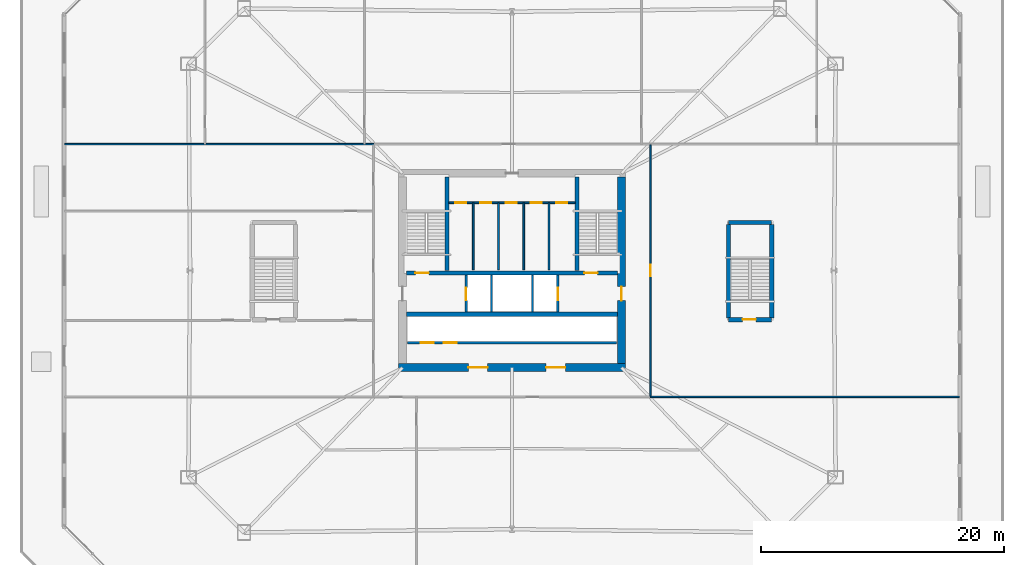
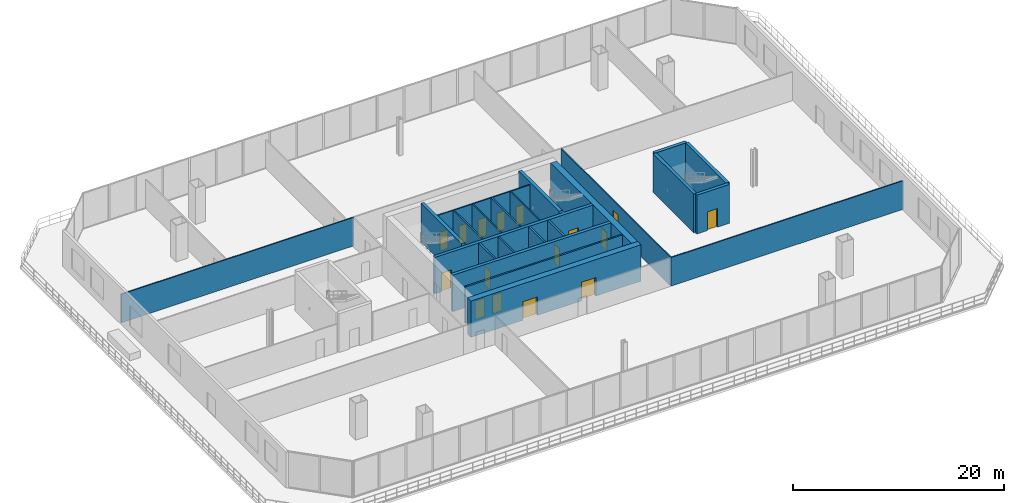
# One storey, part 26 of 31: 23 walls, 16 doors, 16 openings.
"""IFC4 building model written with IfcOpenShell, lengths in metres."""

from ifc_helpers import new_model, si_unit, direction, frame, frame_2d, origin, place, context, subcontext, project, spatial, rectangle, extrude, material, layer, layer_set, type_object, element, fill, save


model = new_model("IFC4")

# Units and contexts
model_context = context("Model", 3, precision=1e-05, world=origin(), true_north=direction((0.0, 1.0)))
body_context = subcontext(model_context, "Body", "Model", "MODEL_VIEW")
ifc_project = project(units=[si_unit("LENGTHUNIT", "METRE"), si_unit("AREAUNIT", "SQUARE_METRE"), si_unit("VOLUMEUNIT", "CUBIC_METRE"), si_unit("PLANEANGLEUNIT", "RADIAN"), si_unit("MASSUNIT", "GRAM", prefix="KILO")], contexts=[model_context])

# Site, building, storey
site_placement = place(None, origin())
site = spatial("IfcSite", under=ifc_project, at=site_placement, CompositionType="ELEMENT")
building_placement = place(site_placement, origin())
building = spatial("IfcBuilding", under=site, at=building_placement, Name="Caelvoria Tower", CompositionType="ELEMENT")
storey_placement = place(building_placement, frame((0.0, 0.0, 9.5)))
storey = spatial("IfcBuildingStorey", under=building, at=storey_placement, Name="L02", CompositionType="ELEMENT", Elevation=9.5)

# Wall, openings, doors
ifc_material_1 = material(Name="Concrete C50/60", Category="concrete")
ifc_layer_1 = layer(ifc_material_1, 0.35009765625, Name="Concrete C50/60")
ifc_layer_set_1 = layer_set([ifc_layer_1], Name="Core Internal Shear Wall 350 - Concrete C50/60")
wall_type_1 = type_object("IfcWallType", Name="Core Internal Shear Wall 350", PredefinedType="SHEAR", material=ifc_layer_set_1)
wall_1_placement = place(storey_placement, frame((37.324951171875, 31.800048828125, 0.0), z_axis=(0.0, 0.0, 1.0), x_axis=(1.0, 0.0, 0.0)))
wall_1 = element("IfcWall", 1, at=wall_1_placement, inside=storey, type_object=wall_type_1, Name="Core Shear Wall L02 M1", PredefinedType="SHEAR", context=body_context, shape_type="SweptSolid", body=[
    extrude(rectangle(XDim=17.35009765625, YDim=0.35009765625, at=frame_2d((8.675048828125, 0.0))), origin(), (0.0, 0.0, 1.0), 4.219970703125),
])
opening_1_placement = place(wall_1_placement, frame((0.72509765625, 0.0, 0.0)))
opening_1 = element("IfcOpeningElement", 2, at=opening_1_placement, cuts=wall_1, Name="Opening ID-01", PredefinedType="OPENING", context=body_context, shape_type="SweptSolid", body=[
    extrude(rectangle(XDim=1.10009765625, YDim=2.14990234375, at=frame_2d((0.550048828125, 1.074951171875))), frame((0.0, 0.18505859375, 0.0), z_axis=(0.0, -1.0, 0.0), x_axis=(1.0, 0.0, 0.0)), (0.0, 0.0, 1.0), 0.3701171875),
])
opening_2_placement = place(wall_1_placement, frame((14.625, 0.0, 0.0)))
opening_2 = element("IfcOpeningElement", 3, at=opening_2_placement, cuts=wall_1, Name="Opening ID-01", PredefinedType="OPENING", context=body_context, shape_type="SweptSolid", body=[
    extrude(rectangle(XDim=1.10009765625, YDim=2.14990234375, at=frame_2d((0.550048828125, 1.074951171875))), frame((0.0, 0.18505859375, 0.0), z_axis=(0.0, -1.0, 0.0), x_axis=(1.0, 0.0, 0.0)), (0.0, 0.0, 1.0), 0.3701171875),
])
ifc_material_2 = material(Name="Painted Hollow Steel Fire Door", Category="steel")
door_type_1 = type_object("IfcDoorType", Name="Fire Door FD90S 1100x2150", OperationType="NOTDEFINED", PredefinedType="DOOR", material=ifc_material_2)
door_1_placement = place(opening_1_placement, origin())
door_1 = element("IfcDoor", 4, at=door_1_placement, inside=storey, type_object=door_type_1, Name="Core Door DR-L02-ST1", OperationType="SINGLE_SWING_LEFT", OverallHeight=2.14990234375, OverallWidth=1.10009765625, PredefinedType="DOOR", context=body_context, shape_type="SweptSolid", body=[
    extrude(rectangle(XDim=1.10009765625, YDim=2.14990234375, at=frame_2d((0.550048828125, 1.074951171875))), frame((0.0, 0.02490234375, 0.0), z_axis=(0.0, -1.0, 0.0), x_axis=(1.0, 0.0, 0.0)), (0.0, 0.0, 1.0), 0.050048828125),
])
fill(opening_1, door_1)
door_2_placement = place(opening_2_placement, origin())
door_2 = element("IfcDoor", 5, at=door_2_placement, inside=storey, type_object=door_type_1, Name="Core Door DR-L02-ST2", OperationType="SINGLE_SWING_RIGHT", OverallHeight=2.14990234375, OverallWidth=1.10009765625, PredefinedType="DOOR", context=body_context, shape_type="SweptSolid", body=[
    extrude(rectangle(XDim=1.10009765625, YDim=2.14990234375, at=frame_2d((0.550048828125, 1.074951171875))), frame((0.0, 0.02490234375, 0.0), z_axis=(0.0, -1.0, 0.0), x_axis=(1.0, 0.0, 0.0)), (0.0, 0.0, 1.0), 0.050048828125),
])
fill(opening_2, door_2)

# Walls
wall_2_placement = place(storey_placement, frame((37.324951171875, 28.39990234375, 0.0), z_axis=(0.0, 0.0, 1.0), x_axis=(1.0, 0.0, 0.0)))
element("IfcWall", 6, at=wall_2_placement, inside=storey, type_object=wall_type_1, Name="Core Shear Wall L02 M2", PredefinedType="SHEAR", context=body_context, shape_type="SweptSolid", body=[
    extrude(rectangle(XDim=17.35009765625, YDim=0.35009765625, at=frame_2d((8.675048828125, 0.0))), origin(), (0.0, 0.0, 1.0), 4.219970703125),
])
for number, where, z_axis, x_axis, name in (
    (7, (40.64990234375, 32.0, 0.0), (0.0, 0.0, 1.0), (0.0, 1.0, 0.0), "Interior Partition IW-L02-ST1E"),
    (8, (51.35009765625, 32.0, 0.0), (0.0, 0.0, 1.0), (0.0, 1.0, 0.0), "Interior Partition IW-L02-ST2W"),
):
    element("IfcWall", number, at=place(storey_placement, frame(where, z_axis=z_axis, x_axis=x_axis)), inside=storey, type_object=wall_type_1, Name=name, PredefinedType="SHEAR", context=body_context, shape_type="SweptSolid", body=[
        extrude(rectangle(XDim=7.699951171875, YDim=0.35009765625, at=frame_2d((3.85009765625, 0.0))), origin(), (0.0, 0.0, 1.0), 4.5),
    ])

# Wall, opening, door
wall_3_placement = place(storey_placement, frame((63.824951171875, 27.949951171875, 0.0), z_axis=(0.0, 0.0, 1.0), x_axis=(1.0, 0.0, 0.0)))
wall_3 = element("IfcWall", 9, at=wall_3_placement, inside=storey, type_object=wall_type_1, Name="Podium Stair Shear Wall L02 ST4 S", PredefinedType="SHEAR", context=body_context, shape_type="SweptSolid", body=[
    extrude(rectangle(XDim=3.550048828125, YDim=0.35009765625, at=frame_2d((1.77490234375, 0.0))), origin(), (0.0, 0.0, 1.0), 4.5),
])
opening_3_placement = place(wall_3_placement, frame((1.14990234375, 0.0, 0.0)))
opening_3 = element("IfcOpeningElement", 10, at=opening_3_placement, cuts=wall_3, Name="Opening ID-01", PredefinedType="OPENING", context=body_context, shape_type="SweptSolid", body=[
    extrude(rectangle(XDim=1.10009765625, YDim=2.14990234375, at=frame_2d((0.550048828125, 1.074951171875))), frame((0.0, 0.18505859375, 0.0), z_axis=(0.0, -1.0, 0.0), x_axis=(1.0, 0.0, 0.0)), (0.0, 0.0, 1.0), 0.3701171875),
])
door_3_placement = place(opening_3_placement, origin())
door_3 = element("IfcDoor", 11, at=door_3_placement, inside=storey, type_object=door_type_1, Name="Podium Stair Door L02 ST4", OperationType="SINGLE_SWING_RIGHT", OverallHeight=2.14990234375, OverallWidth=1.10009765625, PredefinedType="DOOR", context=body_context, shape_type="SweptSolid", body=[
    extrude(rectangle(XDim=1.10009765625, YDim=2.14990234375, at=frame_2d((0.550048828125, 1.074951171875))), frame((0.0, 0.02490234375, 0.0), z_axis=(0.0, -1.0, 0.0), x_axis=(1.0, 0.0, 0.0)), (0.0, 0.0, 1.0), 0.050048828125),
])
fill(opening_3, door_3)

# Walls
wall_4_placement = place(storey_placement, frame((63.824951171875, 35.949951171875, 0.0), z_axis=(0.0, 0.0, 1.0), x_axis=(1.0, 0.0, 0.0)))
element("IfcWall", 12, at=wall_4_placement, inside=storey, type_object=wall_type_1, Name="Podium Stair Shear Wall L02 ST4 N", PredefinedType="SHEAR", context=body_context, shape_type="SweptSolid", body=[
    extrude(rectangle(XDim=3.550048828125, YDim=0.35009765625, at=frame_2d((1.77490234375, 0.0))), origin(), (0.0, 0.0, 1.0), 4.5),
])
for number, where, z_axis, x_axis, name in (
    (13, (63.824951171875, 28.10009765625, 0.0), (0.0, 0.0, 1.0), (0.0, 1.0, 0.0), "Podium Stair Shear Wall L02 ST4 W"),
    (14, (67.375, 28.10009765625, 0.0), (0.0, 0.0, 1.0), (0.0, 1.0, 0.0), "Podium Stair Shear Wall L02 ST4 E"),
):
    element("IfcWall", number, at=place(storey_placement, frame(where, z_axis=z_axis, x_axis=x_axis)), inside=storey, type_object=wall_type_1, Name=name, PredefinedType="SHEAR", context=body_context, shape_type="SweptSolid", body=[
        extrude(rectangle(XDim=7.699951171875, YDim=0.35009765625, at=frame_2d((3.85009765625, 0.0))), origin(), (0.0, 0.0, 1.0), 4.5),
    ])
ifc_material_3 = material(Name="Moisture-Resistant Gypsum on Steel Stud", Category="steel")
ifc_layer_2 = layer(ifc_material_3, 0.139892578125, Name="Moisture-Resistant Gypsum on Steel Stud")
ifc_layer_set_2 = layer_set([ifc_layer_2], Name="Core Sanitary Acoustic Partition Wall 140 - Moisture-Resistant Gypsum on Steel Stud")
wall_type_2 = type_object("IfcWallType", Name="Core Sanitary Acoustic Partition Wall 140", PredefinedType="PARTITIONING", material=ifc_layer_set_2)
for number, where, z_axis, x_axis, name in (
    (15, (42.81005859375, 32.050048828125, 0.0), (0.0, 0.0, 1.0), (0.0, 1.0, 0.0), "Interior Partition IW-L02-C1V0"),
    (16, (44.889892578125, 32.050048828125, 0.0), (0.0, 0.0, 1.0), (0.0, 1.0, 0.0), "Interior Partition IW-L02-C1V1"),
    (17, (46.969970703125, 32.050048828125, 0.0), (0.0, 0.0, 1.0), (0.0, 1.0, 0.0), "Interior Partition IW-L02-C1V2"),
    (18, (49.050048828125, 32.050048828125, 0.0), (0.0, 0.0, 1.0), (0.0, 1.0, 0.0), "Interior Partition IW-L02-C1V3"),
):
    element("IfcWall", number, at=place(storey_placement, frame(where, z_axis=z_axis, x_axis=x_axis)), inside=storey, type_object=wall_type_2, Name=name, PredefinedType="PARTITIONING", context=body_context, shape_type="SweptSolid", body=[
        extrude(rectangle(XDim=5.5, YDim=0.139892578125, at=frame_2d((2.75, 0.0))), origin(), (0.0, 0.0, 1.0), 4.2099609375),
    ])

# Wall, openings, doors
wall_5_placement = place(storey_placement, frame((40.800048828125, 37.580078125, 0.0), z_axis=(0.0, 0.0, 1.0), x_axis=(1.0, 0.0, 0.0)))
wall_5 = element("IfcWall", 19, at=wall_5_placement, inside=storey, type_object=wall_type_2, Name="Interior Partition IW-L02-C1H", PredefinedType="PARTITIONING", context=body_context, shape_type="SweptSolid", body=[
    extrude(rectangle(XDim=10.39990234375, YDim=0.139892578125, at=frame_2d((5.199951171875, 0.0))), origin(), (0.0, 0.0, 1.0), 4.2099609375),
])
opening_4_placement = place(wall_5_placement, frame((0.52001953125, 0.0, 0.0)))
opening_4 = element("IfcOpeningElement", 20, at=opening_4_placement, cuts=wall_5, Name="Opening ID-06", PredefinedType="OPENING", context=body_context, shape_type="SweptSolid", body=[
    extrude(rectangle(XDim=0.89990234375, YDim=2.14990234375, at=frame_2d((0.449951171875, 1.074951171875))), frame((0.0, 0.079833984375, 0.0), z_axis=(0.0, -1.0, 0.0), x_axis=(1.0, 0.0, 0.0)), (0.0, 0.0, 1.0), 0.159912109375),
])
opening_5_placement = place(wall_5_placement, frame((2.60009765625, 0.0, 0.0)))
opening_5 = element("IfcOpeningElement", 21, at=opening_5_placement, cuts=wall_5, Name="Opening ID-06", PredefinedType="OPENING", context=body_context, shape_type="SweptSolid", body=[
    extrude(rectangle(XDim=0.89990234375, YDim=2.14990234375, at=frame_2d((0.449951171875, 1.074951171875))), frame((0.0, 0.079833984375, 0.0), z_axis=(0.0, -1.0, 0.0), x_axis=(1.0, 0.0, 0.0)), (0.0, 0.0, 1.0), 0.159912109375),
])
opening_6_placement = place(wall_5_placement, frame((4.679931640625, 0.0, 0.0)))
opening_6 = element("IfcOpeningElement", 22, at=opening_6_placement, cuts=wall_5, Name="Opening ID-07", PredefinedType="OPENING", context=body_context, shape_type="SweptSolid", body=[
    extrude(rectangle(XDim=0.919921875, YDim=2.14990234375, at=frame_2d((0.4599609375, 1.074951171875))), frame((0.0, 0.079833984375, 0.0), z_axis=(0.0, -1.0, 0.0), x_axis=(1.0, 0.0, 0.0)), (0.0, 0.0, 1.0), 0.159912109375),
])
opening_7_placement = place(wall_5_placement, frame((6.760009765625, 0.0, 0.0)))
opening_7 = element("IfcOpeningElement", 23, at=opening_7_placement, cuts=wall_5, Name="Opening ID-06", PredefinedType="OPENING", context=body_context, shape_type="SweptSolid", body=[
    extrude(rectangle(XDim=0.89990234375, YDim=2.14990234375, at=frame_2d((0.449951171875, 1.074951171875))), frame((0.0, 0.079833984375, 0.0), z_axis=(0.0, -1.0, 0.0), x_axis=(1.0, 0.0, 0.0)), (0.0, 0.0, 1.0), 0.159912109375),
])
opening_8_placement = place(wall_5_placement, frame((8.840087890625, 0.0, 0.0)))
opening_8 = element("IfcOpeningElement", 24, at=opening_8_placement, cuts=wall_5, Name="Opening ID-06", PredefinedType="OPENING", context=body_context, shape_type="SweptSolid", body=[
    extrude(rectangle(XDim=0.89990234375, YDim=2.14990234375, at=frame_2d((0.449951171875, 1.074951171875))), frame((0.0, 0.079833984375, 0.0), z_axis=(0.0, -1.0, 0.0), x_axis=(1.0, 0.0, 0.0)), (0.0, 0.0, 1.0), 0.159912109375),
])
ifc_material_4 = material(Name="Engineered Andean Oak Accessible Door", Category="wood")
door_type_2 = type_object("IfcDoorType", Name="Accessible WC Door 950x2150", OperationType="NOTDEFINED", PredefinedType="DOOR", material=ifc_material_4)
door_4_placement = place(opening_6_placement, origin())
door_4 = element("IfcDoor", 25, at=door_4_placement, inside=storey, type_object=door_type_2, Name="Interior Door DR-L02-C1-3", OperationType="SINGLE_SWING_LEFT", OverallHeight=2.14990234375, OverallWidth=0.919921875, PredefinedType="DOOR", context=body_context, shape_type="SweptSolid", body=[
    extrude(rectangle(XDim=0.919921875, YDim=2.14990234375, at=frame_2d((0.4599609375, 1.074951171875))), frame((0.0, 0.02490234375, 0.0), z_axis=(0.0, -1.0, 0.0), x_axis=(1.0, 0.0, 0.0)), (0.0, 0.0, 1.0), 0.050048828125),
])
fill(opening_6, door_4)
ifc_material_5 = material(Name="Engineered Andean Oak Veneer Door", Category="wood")
door_type_3 = type_object("IfcDoorType", Name="Interior Timber Door 900x2150", OperationType="NOTDEFINED", PredefinedType="DOOR", material=ifc_material_5)
door_5_placement = place(opening_4_placement, origin())
door_5 = element("IfcDoor", 26, at=door_5_placement, inside=storey, type_object=door_type_3, Name="Interior Door DR-L02-C1-1", OperationType="SINGLE_SWING_LEFT", OverallHeight=2.14990234375, OverallWidth=0.89990234375, PredefinedType="DOOR", context=body_context, shape_type="SweptSolid", body=[
    extrude(rectangle(XDim=0.89990234375, YDim=2.14990234375, at=frame_2d((0.449951171875, 1.074951171875))), frame((0.0, 0.02490234375, 0.0), z_axis=(0.0, -1.0, 0.0), x_axis=(1.0, 0.0, 0.0)), (0.0, 0.0, 1.0), 0.050048828125),
])
fill(opening_4, door_5)
door_6_placement = place(opening_5_placement, origin())
door_6 = element("IfcDoor", 27, at=door_6_placement, inside=storey, type_object=door_type_3, Name="Interior Door DR-L02-C1-2", OperationType="SINGLE_SWING_RIGHT", OverallHeight=2.14990234375, OverallWidth=0.89990234375, PredefinedType="DOOR", context=body_context, shape_type="SweptSolid", body=[
    extrude(rectangle(XDim=0.89990234375, YDim=2.14990234375, at=frame_2d((0.449951171875, 1.074951171875))), frame((0.0, 0.02490234375, 0.0), z_axis=(0.0, -1.0, 0.0), x_axis=(1.0, 0.0, 0.0)), (0.0, 0.0, 1.0), 0.050048828125),
])
fill(opening_5, door_6)
door_7_placement = place(opening_7_placement, origin())
door_7 = element("IfcDoor", 28, at=door_7_placement, inside=storey, type_object=door_type_3, Name="Interior Door DR-L02-C1-4", OperationType="SINGLE_SWING_RIGHT", OverallHeight=2.14990234375, OverallWidth=0.89990234375, PredefinedType="DOOR", context=body_context, shape_type="SweptSolid", body=[
    extrude(rectangle(XDim=0.89990234375, YDim=2.14990234375, at=frame_2d((0.449951171875, 1.074951171875))), frame((0.0, 0.02490234375, 0.0), z_axis=(0.0, -1.0, 0.0), x_axis=(1.0, 0.0, 0.0)), (0.0, 0.0, 1.0), 0.050048828125),
])
fill(opening_7, door_7)
door_8_placement = place(opening_8_placement, origin())
door_8 = element("IfcDoor", 29, at=door_8_placement, inside=storey, type_object=door_type_3, Name="Interior Door DR-L02-C1-5", OperationType="SINGLE_SWING_LEFT", OverallHeight=2.14990234375, OverallWidth=0.89990234375, PredefinedType="DOOR", context=body_context, shape_type="SweptSolid", body=[
    extrude(rectangle(XDim=0.89990234375, YDim=2.14990234375, at=frame_2d((0.449951171875, 1.074951171875))), frame((0.0, 0.02490234375, 0.0), z_axis=(0.0, -1.0, 0.0), x_axis=(1.0, 0.0, 0.0)), (0.0, 0.0, 1.0), 0.050048828125),
])
fill(opening_8, door_8)

# Walls
ifc_material_6 = material(Name="Concrete Block and Fireboard Assembly", Category="concrete")
ifc_layer_3 = layer(ifc_material_6, 0.179931640625, Name="Concrete Block and Fireboard Assembly")
ifc_layer_set_3 = layer_set([ifc_layer_3], Name="Fire-Rated Hoistway Partition Wall 180 - Concrete Block and Fireboard Assembly")
wall_type_3 = type_object("IfcWallType", Name="Fire-Rated Hoistway Partition Wall 180", PredefinedType="PARTITIONING", material=ifc_layer_set_3)
for number, where, z_axis, x_axis, name in (
    (30, (44.320068359375, 28.580078125, 0.0), (0.0, 0.0, 1.0), (0.0, 1.0, 0.0), "Interior Partition IW-L02-SV1W"),
    (31, (47.679931640625, 28.580078125, 0.0), (0.0, 0.0, 1.0), (0.0, 1.0, 0.0), "Interior Partition IW-L02-SV1E"),
):
    element("IfcWall", number, at=place(storey_placement, frame(where, z_axis=z_axis, x_axis=x_axis)), inside=storey, type_object=wall_type_3, Name=name, PredefinedType="PARTITIONING", context=body_context, shape_type="SweptSolid", body=[
        extrude(rectangle(XDim=3.0400390625, YDim=0.179931640625, at=frame_2d((1.52001953125, 0.0))), origin(), (0.0, 0.0, 1.0), 4.2099609375),
    ])

# Wall, openings, doors
wall_6_placement = place(storey_placement, frame((37.39990234375, 26.050048828125, 0.0), z_axis=(0.0, 0.0, 1.0), x_axis=(1.0, 0.0, 0.0)))
wall_6 = element("IfcWall", 32, at=wall_6_placement, inside=storey, type_object=wall_type_3, Name="Interior Partition IW-L02-LFRONT", PredefinedType="PARTITIONING", context=body_context, shape_type="SweptSolid", body=[
    extrude(rectangle(XDim=17.2001953125, YDim=0.179931640625, at=frame_2d((8.60009765625, 0.0))), origin(), (0.0, 0.0, 1.0), 4.2099609375),
])
opening_9_placement = place(wall_6_placement, frame((1.10009765625, 0.0, 0.0)))
opening_9 = element("IfcOpeningElement", 33, at=opening_9_placement, cuts=wall_6, Name="Opening LD-01", PredefinedType="OPENING", context=body_context, shape_type="SweptSolid", body=[
    extrude(rectangle(XDim=1.050048828125, YDim=2.14990234375, at=frame_2d((0.52490234375, 1.074951171875))), frame((0.0, 0.099853515625, 0.0), z_axis=(0.0, -1.0, 0.0), x_axis=(1.0, 0.0, 0.0)), (0.0, 0.0, 1.0), 0.199951171875),
])
opening_10_placement = place(wall_6_placement, frame((3.0, 0.0, 0.0)))
opening_10 = element("IfcOpeningElement", 34, at=opening_10_placement, cuts=wall_6, Name="Opening LD-01", PredefinedType="OPENING", context=body_context, shape_type="SweptSolid", body=[
    extrude(rectangle(XDim=1.050048828125, YDim=2.14990234375, at=frame_2d((0.52490234375, 1.074951171875))), frame((0.0, 0.099853515625, 0.0), z_axis=(0.0, -1.0, 0.0), x_axis=(1.0, 0.0, 0.0)), (0.0, 0.0, 1.0), 0.199951171875),
])
ifc_material_7 = material(Name="Brushed Bronze Stainless Sliding Landing Door", Category="aluminium")
door_type_4 = type_object("IfcDoorType", Name="Lift Landing Sliding Door 1100x2150", OperationType="NOTDEFINED", PredefinedType="DOOR", material=ifc_material_7)
door_9_placement = place(opening_9_placement, origin())
door_9 = element("IfcDoor", 35, at=door_9_placement, inside=storey, type_object=door_type_4, Name="Interior Door LD-L02-PL1", OperationType="SLIDING_TO_LEFT", OverallHeight=2.14990234375, OverallWidth=1.050048828125, PredefinedType="DOOR", context=body_context, shape_type="SweptSolid", body=[
    extrude(rectangle(XDim=1.050048828125, YDim=2.14990234375, at=frame_2d((0.52490234375, 1.074951171875))), frame((0.0, 0.02490234375, 0.0), z_axis=(0.0, -1.0, 0.0), x_axis=(1.0, 0.0, 0.0)), (0.0, 0.0, 1.0), 0.050048828125),
])
fill(opening_9, door_9)
door_10_placement = place(opening_10_placement, origin())
door_10 = element("IfcDoor", 36, at=door_10_placement, inside=storey, type_object=door_type_4, Name="Interior Door LD-L02-PL2", OperationType="SLIDING_TO_RIGHT", OverallHeight=2.14990234375, OverallWidth=1.050048828125, PredefinedType="DOOR", context=body_context, shape_type="SweptSolid", body=[
    extrude(rectangle(XDim=1.050048828125, YDim=2.14990234375, at=frame_2d((0.52490234375, 1.074951171875))), frame((0.0, 0.02490234375, 0.0), z_axis=(0.0, -1.0, 0.0), x_axis=(1.0, 0.0, 0.0)), (0.0, 0.0, 1.0), 0.050048828125),
])
fill(opening_10, door_10)

# Wall, opening, door
ifc_layer_4 = layer(ifc_material_6, 0.199951171875, Name="Concrete Block and Fireboard Assembly")
ifc_layer_set_4 = layer_set([ifc_layer_4], Name="Fire-Rated Shaft and Core Partition Wall 200 - Concrete Block and Fireboard Assembly")
wall_type_4 = type_object("IfcWallType", Name="Fire-Rated Shaft and Core Partition Wall 200", PredefinedType="PARTITIONING", material=ifc_layer_set_4)
wall_7_placement = place(storey_placement, frame((42.219970703125, 28.580078125, 0.0), z_axis=(0.0, 0.0, 1.0), x_axis=(0.0, 1.0, 0.0)))
wall_7 = element("IfcWall", 37, at=wall_7_placement, inside=storey, type_object=wall_type_4, Name="Interior Partition IW-L02-LF1W", PredefinedType="PARTITIONING", context=body_context, shape_type="SweptSolid", body=[
    extrude(rectangle(XDim=3.0400390625, YDim=0.199951171875, at=frame_2d((1.52001953125, 0.0))), origin(), (0.0, 0.0, 1.0), 4.2099609375),
])
opening_11_placement = place(wall_7_placement, frame((0.949951171875, 0.0, 0.0)))
opening_11 = element("IfcOpeningElement", 38, at=opening_11_placement, cuts=wall_7, Name="Opening LD-01", PredefinedType="OPENING", context=body_context, shape_type="SweptSolid", body=[
    extrude(rectangle(XDim=1.050048828125, YDim=2.14990234375, at=frame_2d((0.52490234375, 1.074951171875))), frame((0.0, 0.10986328125, 0.0), z_axis=(0.0, -1.0, 0.0), x_axis=(1.0, 0.0, 0.0)), (0.0, 0.0, 1.0), 0.219970703125),
])
door_11_placement = place(opening_11_placement, origin())
door_11 = element("IfcDoor", 39, at=door_11_placement, inside=storey, type_object=door_type_4, Name="Interior Door LD-L02-LF1", OperationType="SLIDING_TO_LEFT", OverallHeight=2.14990234375, OverallWidth=1.050048828125, PredefinedType="DOOR", context=body_context, shape_type="SweptSolid", body=[
    extrude(rectangle(XDim=1.050048828125, YDim=2.14990234375, at=frame_2d((0.52490234375, 1.074951171875))), frame((0.0, 0.02490234375, 0.0), z_axis=(0.0, -1.0, 0.0), x_axis=(1.0, 0.0, 0.0)), (0.0, 0.0, 1.0), 0.050048828125),
])
fill(opening_11, door_11)

wall_8_placement = place(storey_placement, frame((49.780029296875, 28.580078125, 0.0), z_axis=(0.0, 0.0, 1.0), x_axis=(0.0, 1.0, 0.0)))
wall_8 = element("IfcWall", 40, at=wall_8_placement, inside=storey, type_object=wall_type_4, Name="Interior Partition IW-L02-LF2E", PredefinedType="PARTITIONING", context=body_context, shape_type="SweptSolid", body=[
    extrude(rectangle(XDim=3.0400390625, YDim=0.199951171875, at=frame_2d((1.52001953125, 0.0))), origin(), (0.0, 0.0, 1.0), 4.2099609375),
])
opening_12_placement = place(wall_8_placement, frame((0.949951171875, 0.0, 0.0)))
opening_12 = element("IfcOpeningElement", 41, at=opening_12_placement, cuts=wall_8, Name="Opening LD-01", PredefinedType="OPENING", context=body_context, shape_type="SweptSolid", body=[
    extrude(rectangle(XDim=1.050048828125, YDim=2.14990234375, at=frame_2d((0.52490234375, 1.074951171875))), frame((0.0, 0.10986328125, 0.0), z_axis=(0.0, -1.0, 0.0), x_axis=(1.0, 0.0, 0.0)), (0.0, 0.0, 1.0), 0.219970703125),
])
door_12_placement = place(opening_12_placement, origin())
door_12 = element("IfcDoor", 42, at=door_12_placement, inside=storey, type_object=door_type_4, Name="Interior Door LD-L02-LF2", OperationType="SLIDING_TO_RIGHT", OverallHeight=2.14990234375, OverallWidth=1.050048828125, PredefinedType="DOOR", context=body_context, shape_type="SweptSolid", body=[
    extrude(rectangle(XDim=1.050048828125, YDim=2.14990234375, at=frame_2d((0.52490234375, 1.074951171875))), frame((0.0, 0.02490234375, 0.0), z_axis=(0.0, -1.0, 0.0), x_axis=(1.0, 0.0, 0.0)), (0.0, 0.0, 1.0), 0.050048828125),
])
fill(opening_12, door_12)

# Wall, openings, doors
ifc_material_8 = material(Name="Concrete C60/75", Category="concrete")
ifc_layer_5 = layer(ifc_material_8, 0.64990234375, Name="Concrete C60/75")
ifc_layer_set_5 = layer_set([ifc_layer_5], Name="Lower Core Shear Wall 650 - Concrete C60/75")
wall_type_5 = type_object("IfcWallType", Name="Lower Core Shear Wall 650", PredefinedType="SHEAR", material=ifc_layer_set_5)
wall_9_placement = place(storey_placement, frame((36.675048828125, 24.0, 0.0), z_axis=(0.0, 0.0, 1.0), x_axis=(1.0, 0.0, 0.0)))
wall_9 = element("IfcWall", 43, at=wall_9_placement, inside=storey, type_object=wall_type_5, Name="Core Shear Wall L02 S", PredefinedType="SHEAR", context=body_context, shape_type="SweptSolid", body=[
    extrude(rectangle(XDim=18.64990234375, YDim=0.64990234375, at=frame_2d((9.324951171875, 0.0))), origin(), (0.0, 0.0, 1.0), 4.219970703125),
])
opening_13_placement = place(wall_9_placement, frame((5.72509765625, 0.0, 0.0)))
opening_13 = element("IfcOpeningElement", 44, at=opening_13_placement, cuts=wall_9, Name="Opening ID-08", PredefinedType="OPENING", context=body_context, shape_type="SweptSolid", body=[
    extrude(rectangle(XDim=1.60009765625, YDim=2.14990234375, at=frame_2d((0.800048828125, 1.074951171875))), frame((0.0, 0.3349609375, 0.0), z_axis=(0.0, -1.0, 0.0), x_axis=(1.0, 0.0, 0.0)), (0.0, 0.0, 1.0), 0.669921875),
])
opening_14_placement = place(wall_9_placement, frame((12.125, 0.0, 0.0)))
opening_14 = element("IfcOpeningElement", 45, at=opening_14_placement, cuts=wall_9, Name="Opening ID-08", PredefinedType="OPENING", context=body_context, shape_type="SweptSolid", body=[
    extrude(rectangle(XDim=1.60009765625, YDim=2.14990234375, at=frame_2d((0.800048828125, 1.074951171875))), frame((0.0, 0.3349609375, 0.0), z_axis=(0.0, -1.0, 0.0), x_axis=(1.0, 0.0, 0.0)), (0.0, 0.0, 1.0), 0.669921875),
])
ifc_material_9 = material(Name="Bronze-Framed Fire-Rated Glazed Double Door", Category="aluminium")
door_type_5 = type_object("IfcDoorType", Name="Double Lobby Glazed Door 1600x2200", OperationType="NOTDEFINED", PredefinedType="DOOR", material=ifc_material_9)
door_13_placement = place(opening_13_placement, origin())
door_13 = element("IfcDoor", 46, at=door_13_placement, inside=storey, type_object=door_type_5, Name="Core Door DR-L02-LLOB-S1", OperationType="DOUBLE_DOOR_SINGLE_SWING", OverallHeight=2.14990234375, OverallWidth=1.60009765625, PredefinedType="DOOR", context=body_context, shape_type="SweptSolid", body=[
    extrude(rectangle(XDim=1.60009765625, YDim=2.14990234375, at=frame_2d((0.800048828125, 1.074951171875))), frame((0.0, 0.02490234375, 0.0), z_axis=(0.0, -1.0, 0.0), x_axis=(1.0, 0.0, 0.0)), (0.0, 0.0, 1.0), 0.050048828125),
])
fill(opening_13, door_13)
door_14_placement = place(opening_14_placement, origin())
door_14 = element("IfcDoor", 47, at=door_14_placement, inside=storey, type_object=door_type_5, Name="Core Door DR-L02-LLOB-S2", OperationType="DOUBLE_DOOR_SINGLE_SWING", OverallHeight=2.14990234375, OverallWidth=1.60009765625, PredefinedType="DOOR", context=body_context, shape_type="SweptSolid", body=[
    extrude(rectangle(XDim=1.60009765625, YDim=2.14990234375, at=frame_2d((0.800048828125, 1.074951171875))), frame((0.0, 0.02490234375, 0.0), z_axis=(0.0, -1.0, 0.0), x_axis=(1.0, 0.0, 0.0)), (0.0, 0.0, 1.0), 0.050048828125),
])
fill(opening_14, door_14)

# Wall, opening, door
wall_10_placement = place(storey_placement, frame((55.0, 24.324951171875, 0.0), z_axis=(0.0, 0.0, 1.0), x_axis=(0.0, 1.0, 0.0)))
wall_10 = element("IfcWall", 48, at=wall_10_placement, inside=storey, type_object=wall_type_5, Name="Core Shear Wall L02 E", PredefinedType="SHEAR", context=body_context, shape_type="SweptSolid", body=[
    extrude(rectangle(XDim=15.35009765625, YDim=0.64990234375, at=frame_2d((7.675048828125, 0.0))), origin(), (0.0, 0.0, 1.0), 4.219970703125),
])
opening_15_placement = place(wall_10_placement, frame((5.199951171875, 0.0, 0.0)))
opening_15 = element("IfcOpeningElement", 49, at=opening_15_placement, cuts=wall_10, Name="Opening ID-02", PredefinedType="OPENING", context=body_context, shape_type="SweptSolid", body=[
    extrude(rectangle(XDim=1.14990234375, YDim=2.14990234375, at=frame_2d((0.574951171875, 1.074951171875))), frame((0.0, 0.3349609375, 0.0), z_axis=(0.0, -1.0, 0.0), x_axis=(1.0, 0.0, 0.0)), (0.0, 0.0, 1.0), 0.669921875),
])
door_type_6 = type_object("IfcDoorType", Name="Fire Door FD60S 1150x2150", OperationType="NOTDEFINED", PredefinedType="DOOR", material=ifc_material_2)
door_15_placement = place(opening_15_placement, origin())
door_15 = element("IfcDoor", 50, at=door_15_placement, inside=storey, type_object=door_type_6, Name="Core Door DR-L02-FFLE-OUT", OperationType="SINGLE_SWING_RIGHT", OverallHeight=2.14990234375, OverallWidth=1.14990234375, PredefinedType="DOOR", context=body_context, shape_type="SweptSolid", body=[
    extrude(rectangle(XDim=1.14990234375, YDim=2.14990234375, at=frame_2d((0.574951171875, 1.074951171875))), frame((0.0, 0.02490234375, 0.0), z_axis=(0.0, -1.0, 0.0), x_axis=(1.0, 0.0, 0.0)), (0.0, 0.0, 1.0), 0.050048828125),
])
fill(opening_15, door_15)

ifc_material_10 = material(Name="Acoustic Gypsum Board on Light-Gauge Stud", Category="gypsum")
ifc_layer_6 = layer(ifc_material_10, 0.1201171875, Name="Acoustic Gypsum Board on Light-Gauge Stud")
ifc_layer_set_6 = layer_set([ifc_layer_6], Name="Tenant Suite Acoustic Partition Wall 120 - Acoustic Gypsum Board on Light-Gauge Stud")
wall_type_6 = type_object("IfcWallType", Name="Tenant Suite Acoustic Partition Wall 120", PredefinedType="PARTITIONING", material=ifc_layer_set_6)
wall_11_placement = place(storey_placement, frame((57.409912109375, 21.64990234375, 0.0), z_axis=(0.0, 0.0, 1.0), x_axis=(0.0, 1.0, 0.0)))
wall_11 = element("IfcWall", 51, at=wall_11_placement, inside=storey, type_object=wall_type_6, Name="Interior Partition IW-L02-ECW-0", PredefinedType="PARTITIONING", context=body_context, shape_type="SweptSolid", body=[
    extrude(rectangle(XDim=20.7001953125, YDim=0.1201171875, at=frame_2d((10.35009765625, 0.0))), origin(), (0.0, 0.0, 1.0), 3.31005859375),
])
opening_16_placement = place(wall_11_placement, frame((9.875, 0.0, 0.0)))
opening_16 = element("IfcOpeningElement", 52, at=opening_16_placement, cuts=wall_11, Name="Opening ID-05", PredefinedType="OPENING", context=body_context, shape_type="SweptSolid", body=[
    extrude(rectangle(XDim=0.949951171875, YDim=2.14990234375, at=frame_2d((0.47509765625, 1.074951171875))), frame((0.0, 0.070068359375, 0.0), z_axis=(0.0, -1.0, 0.0), x_axis=(1.0, 0.0, 0.0)), (0.0, 0.0, 1.0), 0.14013671875),
])
door_type_7 = type_object("IfcDoorType", Name="Interior Timber Door 950x2150", OperationType="NOTDEFINED", PredefinedType="DOOR", material=ifc_material_5)
door_16_placement = place(opening_16_placement, origin())
door_16 = element("IfcDoor", 53, at=door_16_placement, inside=storey, type_object=door_type_7, Name="Interior Door DR-L02-EC-00-0", OperationType="SINGLE_SWING_LEFT", OverallHeight=2.14990234375, OverallWidth=0.949951171875, PredefinedType="DOOR", context=body_context, shape_type="SweptSolid", body=[
    extrude(rectangle(XDim=0.949951171875, YDim=2.14990234375, at=frame_2d((0.47509765625, 1.074951171875))), frame((0.0, 0.02490234375, 0.0), z_axis=(0.0, -1.0, 0.0), x_axis=(1.0, 0.0, 0.0)), (0.0, 0.0, 1.0), 0.050048828125),
])
fill(opening_16, door_16)

# Walls
for number, where, z_axis, x_axis, name in (
    (54, (57.35009765625, 21.590087890625, 0.0), (0.0, 0.0, 1.0), (1.0, 0.0, 0.0), "Interior Partition IW-L02-BSE-0"),
    (55, (34.64990234375, 42.409912109375, 0.0), (0.0, 0.0, 1.0), (-1.0, 0.0, 0.0), "Interior Partition IW-L02-BNW-0"),
):
    element("IfcWall", number, at=place(storey_placement, frame(where, z_axis=z_axis, x_axis=x_axis)), inside=storey, type_object=wall_type_6, Name=name, PredefinedType="PARTITIONING", context=body_context, shape_type="SweptSolid", body=[
        extrude(rectangle(XDim=25.469970703125, YDim=0.1201171875, at=frame_2d((12.73486328125, 0.0))), origin(), (0.0, 0.0, 1.0), 3.31005859375),
    ])

save(model, "model.ifc")
